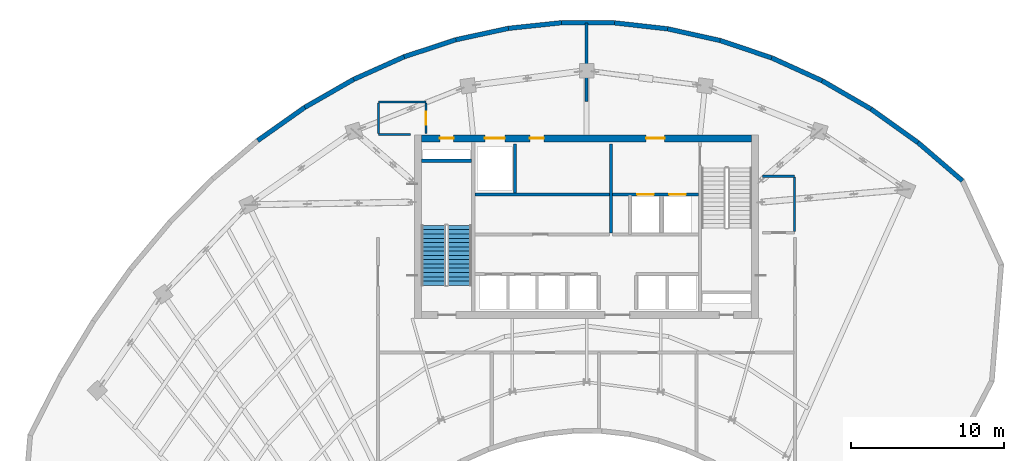
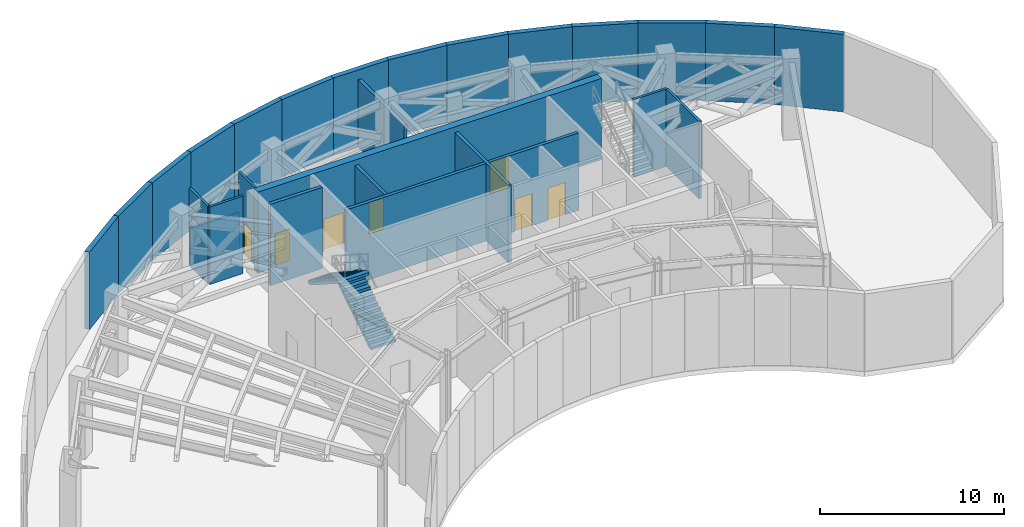
# One storey, part 8 of 10: 27 walls, 7 doors, 2 stair flights, 7 openings, 1 element without a shape of its own.
"""IFC4 building model written with IfcOpenShell, lengths in metres."""

from ifc_helpers import new_model, si_unit, direction, frame, frame_2d, origin, place, context, subcontext, project, spatial, polyline, rectangle, outline, extrude, source, transform, mapped, material, layer, layer_set, type_object, type_shapes, element, fill, aggregate, save


model = new_model("IFC4")

# Units and contexts
model_context = context("Model", 3, precision=1e-05, world=origin(), true_north=direction((0.0, 1.0)))
body_context = subcontext(model_context, "Body", "Model", "MODEL_VIEW")
ifc_project = project(units=[si_unit("LENGTHUNIT", "METRE"), si_unit("AREAUNIT", "SQUARE_METRE"), si_unit("VOLUMEUNIT", "CUBIC_METRE"), si_unit("PLANEANGLEUNIT", "RADIAN"), si_unit("MASSUNIT", "GRAM", prefix="KILO")], contexts=[model_context])

# Site, building, storey
site_placement = place(None, origin())
site = spatial("IfcSite", under=ifc_project, at=site_placement, CompositionType="ELEMENT")
building_placement = place(site_placement, origin())
building = spatial("IfcBuilding", under=site, at=building_placement, Name="Breltana Convention Tower", CompositionType="ELEMENT")
storey_placement = place(building_placement, frame((0.0, 0.0, 254.699951171875)))
storey = spatial("IfcBuildingStorey", under=building, at=storey_placement, Name="L62", CompositionType="ELEMENT", Elevation=254.699951171875)

# Wall, openings, doors
ifc_material_1 = material(Name="Concrete C60/75", Category="concrete")
ifc_layer_1 = layer(ifc_material_1, 0.449951171875, Name="Concrete C60/75")
ifc_layer_set_1 = layer_set([ifc_layer_1], Name="Concrete C60/75")
wall_type_1 = type_object("IfcWallType", Name="SW-CORE-450", PredefinedType="SHEAR", material=ifc_layer_set_1)
shared_shape_1 = source(origin(), body_context, "Body", "SweptSolid", [
    extrude(rectangle(XDim=21.60009765625, YDim=0.449951171875, at=frame_2d((10.800048828125, 0.0))), origin(), (0.0, 0.0, 1.0), 5.400146484375),
])
wall_1_placement = place(storey_placement, frame((37.199951171875, 71.97509765625, 0.0), z_axis=(0.0, 0.0, 1.0), x_axis=(1.0, 0.0, 0.0)))
wall_1 = element("IfcWall", 1, at=wall_1_placement, inside=storey, type_object=wall_type_1, Name="L62 North Core Shear Wall", PredefinedType="SHEAR", context=body_context, shape_type="MappedRepresentation", body=[
    mapped(shared_shape_1, transform((0.0, 0.0, 0.0), scale=1.0)),
])
opening_1_placement = place(wall_1_placement, frame((1.199951171875, 0.0, 0.0)))
opening_1 = element("IfcOpeningElement", 2, at=opening_1_placement, cuts=wall_1, Name="Opening D-18", PredefinedType="OPENING", context=body_context, shape_type="SweptSolid", body=[
    extrude(rectangle(XDim=0.89990234375, YDim=2.10009765625, at=frame_2d((0.449951171875, 1.050048828125))), frame((0.0, 0.23486328125, 0.0), z_axis=(0.0, -1.0, 0.0), x_axis=(1.0, 0.0, 0.0)), (0.0, 0.0, 1.0), 0.469970703125),
])
opening_2_placement = place(wall_1_placement, frame((14.699951171875, 0.0, 0.0)))
opening_2 = element("IfcOpeningElement", 3, at=opening_2_placement, cuts=wall_1, Name="Opening D-09", PredefinedType="OPENING", context=body_context, shape_type="SweptSolid", body=[
    extrude(rectangle(XDim=1.199951171875, YDim=2.14990234375, at=frame_2d((0.60009765625, 1.074951171875))), frame((0.0, 0.23486328125, 0.0), z_axis=(0.0, -1.0, 0.0), x_axis=(1.0, 0.0, 0.0)), (0.0, 0.0, 1.0), 0.469970703125),
])
opening_3_placement = place(wall_1_placement, frame((4.14990234375, 0.0, 0.0)))
opening_3 = element("IfcOpeningElement", 4, at=opening_3_placement, cuts=wall_1, Name="Opening LD-01", PredefinedType="OPENING", context=body_context, shape_type="SweptSolid", body=[
    extrude(rectangle(XDim=1.300048828125, YDim=2.14990234375, at=frame_2d((0.64990234375, 1.074951171875))), frame((0.0, 0.23486328125, 0.0), z_axis=(0.0, -1.0, 0.0), x_axis=(1.0, 0.0, 0.0)), (0.0, 0.0, 1.0), 0.469970703125),
])
opening_4_placement = place(wall_1_placement, frame((7.10009765625, 0.0, 0.0)))
opening_4 = element("IfcOpeningElement", 5, at=opening_4_placement, cuts=wall_1, Name="Opening D-18", PredefinedType="OPENING", context=body_context, shape_type="SweptSolid", body=[
    extrude(rectangle(XDim=0.89990234375, YDim=2.10009765625, at=frame_2d((0.449951171875, 1.050048828125))), frame((0.0, 0.23486328125, 0.0), z_axis=(0.0, -1.0, 0.0), x_axis=(1.0, 0.0, 0.0)), (0.0, 0.0, 1.0), 0.469970703125),
])
ifc_material_2 = material(Name="Steel Riser Fire Door", Category="steel")
door_type_1 = type_object("IfcDoorType", Name="DR-FD60-900", OperationType="NOTDEFINED", PredefinedType="DOOR", material=ifc_material_2)
shared_shape_2 = source(origin(), body_context, "Body", "SweptSolid", [
    extrude(rectangle(XDim=0.89990234375, YDim=2.10009765625, at=frame_2d((0.449951171875, 1.050048828125))), frame((0.0, 0.02490234375, 0.0), z_axis=(0.0, -1.0, 0.0), x_axis=(1.0, 0.0, 0.0)), (0.0, 0.0, 1.0), 0.050048828125),
])
type_shapes(door_type_1, [shared_shape_2])
door_1_placement = place(opening_1_placement, origin())
door_1 = element("IfcDoor", 6, at=door_1_placement, inside=storey, type_object=door_type_1, Name="L62 Core Riser Access Door D-L62-RS1", OperationType="SINGLE_SWING_LEFT", OverallHeight=2.10009765625, OverallWidth=0.89990234375, PredefinedType="DOOR", context=body_context, shape_type="MappedRepresentation", body=[
    mapped(shared_shape_2, transform((0.0, 0.0, 0.0), scale=1.0)),
])
fill(opening_1, door_1)
door_2_placement = place(opening_4_placement, origin())
door_2 = element("IfcDoor", 7, at=door_2_placement, inside=storey, type_object=door_type_1, Name="L62 interior door D-L62-CRA1", OperationType="SINGLE_SWING_RIGHT", OverallHeight=2.10009765625, OverallWidth=0.89990234375, PredefinedType="DOOR", context=body_context, shape_type="MappedRepresentation", body=[
    mapped(shared_shape_2, transform((0.0, 0.0, 0.0), scale=1.0)),
])
fill(opening_4, door_2)
ifc_material_3 = material(Name="Steel Fire Lobby Door", Category="steel")
door_type_2 = type_object("IfcDoorType", Name="DR-FD120-1200", OperationType="NOTDEFINED", PredefinedType="DOOR", material=ifc_material_3)
shared_shape_3 = source(origin(), body_context, "Body", "SweptSolid", [
    extrude(rectangle(XDim=1.199951171875, YDim=2.14990234375, at=frame_2d((0.60009765625, 1.074951171875))), frame((0.0, 0.02490234375, 0.0), z_axis=(0.0, -1.0, 0.0), x_axis=(1.0, 0.0, 0.0)), (0.0, 0.0, 1.0), 0.050048828125),
])
type_shapes(door_type_2, [shared_shape_3])
door_3_placement = place(opening_2_placement, origin())
door_3 = element("IfcDoor", 8, at=door_3_placement, inside=storey, type_object=door_type_2, Name="L62 interior door D-L62-FFL-N", OperationType="SINGLE_SWING_RIGHT", OverallHeight=2.14990234375, OverallWidth=1.199951171875, PredefinedType="DOOR", context=body_context, shape_type="MappedRepresentation", body=[
    mapped(shared_shape_3, transform((0.0, 0.0, 0.0), scale=1.0)),
])
fill(opening_2, door_3)
ifc_material_4 = material(Name="Stainless Steel Brushed", Category="steel")
door_type_3 = type_object("IfcDoorType", Name="DR-LD-SRV-1300", OperationType="DOUBLE_DOOR_SLIDING", PredefinedType="DOOR", material=ifc_material_4)
shared_shape_4 = source(origin(), body_context, "Body", "SweptSolid", [
    extrude(rectangle(XDim=1.300048828125, YDim=2.14990234375, at=frame_2d((0.64990234375, 1.074951171875))), frame((0.0, 0.02490234375, 0.0), z_axis=(0.0, -1.0, 0.0), x_axis=(1.0, 0.0, 0.0)), (0.0, 0.0, 1.0), 0.050048828125),
])
type_shapes(door_type_3, [shared_shape_4])
door_4_placement = place(opening_3_placement, origin())
door_4 = element("IfcDoor", 9, at=door_4_placement, inside=storey, type_object=door_type_3, Name="L62 Lift Landing Door D-L62-LD-SV1", OperationType="DOUBLE_DOOR_SLIDING", OverallHeight=2.14990234375, OverallWidth=1.300048828125, PredefinedType="DOOR", context=body_context, shape_type="MappedRepresentation", body=[
    mapped(shared_shape_4, transform((0.0, 0.0, 0.0), scale=1.0)),
])
fill(opening_3, door_4)

# Walls
ifc_material_5 = material(Name="Concrete C50/60", Category="concrete")
ifc_layer_2 = layer(ifc_material_5, 0.39990234375, Name="Concrete C50/60")
ifc_layer_set_2 = layer_set([ifc_layer_2], Name="Concrete C50/60")
wall_type_2 = type_object("IfcWallType", Name="SW-CORE-400", PredefinedType="SHEAR", material=ifc_layer_set_2)
shared_shape_5 = source(origin(), body_context, "Body", "SweptSolid", [
    extrude(rectangle(XDim=3.27001953125, YDim=0.219970703125, at=frame_2d((1.635009765625, 0.0))), origin(), (0.0, 0.0, 1.0), 5.400146484375),
])
wall_2_placement = place(storey_placement, frame((37.199951171875, 70.510009765625, 0.0), z_axis=(0.0, 0.0, 1.0), x_axis=(1.0, 0.0, 0.0)))
element("IfcWall", 10, at=wall_2_placement, inside=storey, type_object=wall_type_2, Name="L62 ST-1 Stairwell North Bearing Wall", PredefinedType="SHEAR", context=body_context, shape_type="MappedRepresentation", body=[
    mapped(shared_shape_5, transform((0.0, 0.0, 0.0), scale=1.0)),
])
ifc_material_6 = material(Name="Limestone Buff Insulated Wall", Category="masonry")
ifc_layer_3 = layer(ifc_material_6, 0.300048828125, Name="Limestone Buff Insulated Wall")
ifc_layer_set_3 = layer_set([ifc_layer_3], Name="Limestone Buff Insulated Wall")
wall_type_3 = type_object("IfcWallType", Name="WL-EXT-CRN-300", PredefinedType="SOLIDWALL", material=ifc_layer_set_3)
shared_shape_6 = source(origin(), body_context, "Body", "SweptSolid", [
    extrude(rectangle(XDim=3.770263671875, YDim=0.300048828125, at=frame_2d((1.88525390625, 0.0))), origin(), (0.0, 0.0, 1.0), 5.150146484375),
])
wall_3_placement = place(storey_placement, frame((26.495361328125, 71.823486328125, 0.0), z_axis=(0.0, 0.0, 1.0), x_axis=(0.817001958662, 0.576634892755, 0.0)))
element("IfcWall", 11, at=wall_3_placement, inside=storey, type_object=wall_type_3, Name="L62 mechanical limestone enclosure wall 56", PredefinedType="SOLIDWALL", context=body_context, shape_type="MappedRepresentation", body=[
    mapped(shared_shape_6, transform((0.0, 0.0, 0.0), scale=1.0)),
])
shared_shape_7 = source(origin(), body_context, "Body", "SweptSolid", [
    extrude(rectangle(XDim=3.68798828125, YDim=0.300048828125, at=frame_2d((1.843994140625, 0.0))), origin(), (0.0, 0.0, 1.0), 5.150146484375),
])
wall_4_placement = place(storey_placement, frame((29.57568359375, 73.99755859375, 0.0), z_axis=(0.0, 0.0, 1.0), x_axis=(0.867929289274, 0.496687778005, 0.0)))
element("IfcWall", 12, at=wall_4_placement, inside=storey, type_object=wall_type_3, Name="L62 mechanical limestone enclosure wall 57", PredefinedType="SOLIDWALL", context=body_context, shape_type="MappedRepresentation", body=[
    mapped(shared_shape_7, transform((0.0, 0.0, 0.0), scale=1.0)),
])
shared_shape_8 = source(origin(), body_context, "Body", "SweptSolid", [
    extrude(rectangle(XDim=3.61572265625, YDim=0.300048828125, at=frame_2d((1.807861328125, 0.0))), origin(), (0.0, 0.0, 1.0), 5.150146484375),
])
wall_5_placement = place(storey_placement, frame((32.776611328125, 75.829345703125, 0.0), z_axis=(0.0, 0.0, 1.0), x_axis=(0.912719530576, 0.408586659726, 0.0)))
element("IfcWall", 13, at=wall_5_placement, inside=storey, type_object=wall_type_3, Name="L62 mechanical limestone enclosure wall 58", PredefinedType="SOLIDWALL", context=body_context, shape_type="MappedRepresentation", body=[
    mapped(shared_shape_8, transform((0.0, 0.0, 0.0), scale=1.0)),
])
shared_shape_9 = source(origin(), body_context, "Body", "SweptSolid", [
    extrude(rectangle(XDim=3.556884765625, YDim=0.300048828125, at=frame_2d((1.7783203125, 0.0))), origin(), (0.0, 0.0, 1.0), 5.150146484375),
])
wall_6_placement = place(storey_placement, frame((36.07666015625, 77.306640625, 0.0), z_axis=(0.0, 0.0, 1.0), x_axis=(0.949687460385, 0.31319918197, 0.0)))
element("IfcWall", 14, at=wall_6_placement, inside=storey, type_object=wall_type_3, Name="L62 mechanical limestone enclosure wall 59", PredefinedType="SOLIDWALL", context=body_context, shape_type="MappedRepresentation", body=[
    mapped(shared_shape_9, transform((0.0, 0.0, 0.0), scale=1.0)),
])
shared_shape_10 = source(origin(), body_context, "Body", "SweptSolid", [
    extrude(rectangle(XDim=3.512939453125, YDim=0.300048828125, at=frame_2d((1.75634765625, 0.0))), origin(), (0.0, 0.0, 1.0), 5.150146484375),
])
wall_7_placement = place(storey_placement, frame((39.45458984375, 78.420654296875, 0.0), z_axis=(0.0, 0.0, 1.0), x_axis=(0.977366029072, 0.211555300611, 0.0)))
element("IfcWall", 15, at=wall_7_placement, inside=storey, type_object=wall_type_3, Name="L62 mechanical limestone enclosure wall 60", PredefinedType="SOLIDWALL", context=body_context, shape_type="MappedRepresentation", body=[
    mapped(shared_shape_10, transform((0.0, 0.0, 0.0), scale=1.0)),
])
shared_shape_11 = source(origin(), body_context, "Body", "SweptSolid", [
    extrude(rectangle(XDim=3.486328125, YDim=0.300048828125, at=frame_2d((1.7431640625, 0.0))), origin(), (0.0, 0.0, 1.0), 5.150146484375),
])
wall_8_placement = place(storey_placement, frame((42.887939453125, 79.163818359375, 0.0), z_axis=(0.0, 0.0, 1.0), x_axis=(0.994423029828, 0.105464864994, 0.0)))
element("IfcWall", 16, at=wall_8_placement, inside=storey, type_object=wall_type_3, Name="L62 mechanical limestone enclosure wall 61", PredefinedType="SOLIDWALL", context=body_context, shape_type="MappedRepresentation", body=[
    mapped(shared_shape_11, transform((0.0, 0.0, 0.0), scale=1.0)),
])
shared_shape_12 = source(origin(), body_context, "Body", "SweptSolid", [
    extrude(rectangle(XDim=3.477294921875, YDim=0.300048828125, at=frame_2d((1.73876953125, 0.0))), origin(), (0.0, 0.0, 1.0), 5.150146484375),
])
wall_9_placement = place(storey_placement, frame((46.354736328125, 79.531494140625, 0.0), z_axis=(0.0, 0.0, 1.0), x_axis=(0.999995652268, -0.002948804142, 0.0)))
element("IfcWall", 17, at=wall_9_placement, inside=storey, type_object=wall_type_3, Name="L62 mechanical limestone enclosure wall 62", PredefinedType="SOLIDWALL", context=body_context, shape_type="MappedRepresentation", body=[
    mapped(shared_shape_12, transform((0.0, 0.0, 0.0), scale=1.0)),
])
shared_shape_13 = source(origin(), body_context, "Body", "SweptSolid", [
    extrude(rectangle(XDim=3.4873046875, YDim=0.300048828125, at=frame_2d((1.74365234375, 0.0))), origin(), (0.0, 0.0, 1.0), 5.150146484375),
])
wall_10_placement = place(storey_placement, frame((49.83203125, 79.521240234375, 0.0), z_axis=(0.0, 0.0, 1.0), x_axis=(0.993792900103, -0.111245996355, 0.0)))
element("IfcWall", 18, at=wall_10_placement, inside=storey, type_object=wall_type_3, Name="L62 mechanical limestone enclosure wall 63", PredefinedType="SOLIDWALL", context=body_context, shape_type="MappedRepresentation", body=[
    mapped(shared_shape_13, transform((0.0, 0.0, 0.0), scale=1.0)),
])
shared_shape_14 = source(origin(), body_context, "Body", "SweptSolid", [
    extrude(rectangle(XDim=3.514892578125, YDim=0.300048828125, at=frame_2d((1.75732421875, 0.0))), origin(), (0.0, 0.0, 1.0), 5.150146484375),
])
wall_11_placement = place(storey_placement, frame((53.297607421875, 79.13330078125, 0.0), z_axis=(0.0, 0.0, 1.0), x_axis=(0.976144550296, -0.217121663884, 0.0)))
element("IfcWall", 19, at=wall_11_placement, inside=storey, type_object=wall_type_3, Name="L62 mechanical limestone enclosure wall 64", PredefinedType="SOLIDWALL", context=body_context, shape_type="MappedRepresentation", body=[
    mapped(shared_shape_14, transform((0.0, 0.0, 0.0), scale=1.0)),
])
shared_shape_15 = source(origin(), body_context, "Body", "SweptSolid", [
    extrude(rectangle(XDim=3.559326171875, YDim=0.300048828125, at=frame_2d((1.77978515625, 0.0))), origin(), (0.0, 0.0, 1.0), 5.150146484375),
])
wall_12_placement = place(storey_placement, frame((56.728759765625, 78.3701171875, 0.0), z_axis=(0.0, 0.0, 1.0), x_axis=(0.947933000453, -0.31846982063, 0.0)))
element("IfcWall", 20, at=wall_12_placement, inside=storey, type_object=wall_type_3, Name="L62 mechanical limestone enclosure wall 65", PredefinedType="SOLIDWALL", context=body_context, shape_type="MappedRepresentation", body=[
    mapped(shared_shape_15, transform((0.0, 0.0, 0.0), scale=1.0)),
])
shared_shape_16 = source(origin(), body_context, "Body", "SweptSolid", [
    extrude(rectangle(XDim=3.619384765625, YDim=0.300048828125, at=frame_2d((1.8095703125, 0.0))), origin(), (0.0, 0.0, 1.0), 5.150146484375),
])
wall_13_placement = place(storey_placement, frame((60.102783203125, 77.236572265625, 0.0), z_axis=(0.0, 0.0, 1.0), x_axis=(0.910479634963, -0.413553907391, 0.0)))
element("IfcWall", 21, at=wall_13_placement, inside=storey, type_object=wall_type_3, Name="L62 mechanical limestone enclosure wall 66", PredefinedType="SOLIDWALL", context=body_context, shape_type="MappedRepresentation", body=[
    mapped(shared_shape_16, transform((0.0, 0.0, 0.0), scale=1.0)),
])
shared_shape_17 = source(origin(), body_context, "Body", "SweptSolid", [
    extrude(rectangle(XDim=3.69189453125, YDim=0.300048828125, at=frame_2d((1.845947265625, 0.0))), origin(), (0.0, 0.0, 1.0), 5.150146484375),
])
wall_14_placement = place(storey_placement, frame((63.398193359375, 75.73974609375, 0.0), z_axis=(0.0, 0.0, 1.0), x_axis=(0.86534327136, -0.501179631181, 0.0)))
element("IfcWall", 22, at=wall_14_placement, inside=storey, type_object=wall_type_3, Name="L62 mechanical limestone enclosure wall 67", PredefinedType="SOLIDWALL", context=body_context, shape_type="MappedRepresentation", body=[
    mapped(shared_shape_17, transform((0.0, 0.0, 0.0), scale=1.0)),
])
shared_shape_18 = source(origin(), body_context, "Body", "SweptSolid", [
    extrude(rectangle(XDim=3.775146484375, YDim=0.300048828125, at=frame_2d((1.8876953125, 0.0))), origin(), (0.0, 0.0, 1.0), 5.150146484375),
])
wall_15_placement = place(storey_placement, frame((66.593017578125, 73.889404296875, 0.0), z_axis=(0.0, 0.0, 1.0), x_axis=(0.814135281578, -0.580675247699, 0.0)))
element("IfcWall", 23, at=wall_15_placement, inside=storey, type_object=wall_type_3, Name="L62 mechanical limestone enclosure wall 68", PredefinedType="SOLIDWALL", context=body_context, shape_type="MappedRepresentation", body=[
    mapped(shared_shape_18, transform((0.0, 0.0, 0.0), scale=1.0)),
])
shared_shape_19 = source(origin(), body_context, "Body", "SweptSolid", [
    extrude(rectangle(XDim=3.833984375, YDim=0.300048828125, at=frame_2d((1.9169921875, 0.0))), origin(), (0.0, 0.0, 1.0), 5.150146484375),
])
wall_16_placement = place(storey_placement, frame((69.66650390625, 71.697265625, 0.0), z_axis=(0.0, 0.0, 1.0), x_axis=(0.75839292431, -0.651797646787, 0.0)))
element("IfcWall", 24, at=wall_16_placement, inside=storey, type_object=wall_type_3, Name="L62 mechanical limestone enclosure wall 69", PredefinedType="SOLIDWALL", context=body_context, shape_type="MappedRepresentation", body=[
    mapped(shared_shape_19, transform((0.0, 0.0, 0.0), scale=1.0)),
])
ifc_material_7 = material(Name="Gypsum Acoustic Drywall Partition")
ifc_layer_4 = layer(ifc_material_7, 0.14990234375, Name="Gypsum Acoustic Drywall Partition")
ifc_layer_set_4 = layer_set([ifc_layer_4], Name="Gypsum Acoustic Drywall Partition")
wall_type_4 = type_object("IfcWallType", Name="WL-PART-150", PredefinedType="PARTITIONING", material=ifc_layer_set_4)
shared_shape_20 = source(origin(), body_context, "Body", "SweptSolid", [
    extrude(rectangle(XDim=3.10009765625, YDim=0.14990234375, at=frame_2d((1.550048828125, 0.0))), origin(), (0.0, 0.0, 1.0), 2.424560546875),
])
wall_17_placement = place(storey_placement, frame((34.39990234375, 74.35009765625, 0.0), z_axis=(0.0, 0.0, 1.0), x_axis=(1.0, 0.0, 0.0)))
element("IfcWall", 25, at=wall_17_placement, inside=storey, type_object=wall_type_4, Name="L62 interior partition W-L62-CRNE-N", PredefinedType="PARTITIONING", context=body_context, shape_type="MappedRepresentation", body=[
    mapped(shared_shape_20, transform((0.0, 0.0, 0.0), scale=1.0)),
])

# Wall, openings, doors
ifc_material_8 = material(Name="Autoclaved Aerated Concrete Block", Category="concrete")
ifc_layer_5 = layer(ifc_material_8, 0.199951171875, Name="Autoclaved Aerated Concrete Block")
ifc_layer_set_5 = layer_set([ifc_layer_5], Name="Autoclaved Aerated Concrete Block")
wall_type_5 = type_object("IfcWallType", Name="WL-SHAFT-200", PredefinedType="SOLIDWALL", material=ifc_layer_set_5)
shared_shape_21 = source(origin(), body_context, "Body", "SweptSolid", [
    extrude(rectangle(XDim=5.6201171875, YDim=0.199951171875, at=frame_2d((2.81005859375, 0.0))), origin(), (0.0, 0.0, 1.0), 5.150146484375),
])
wall_18_placement = place(storey_placement, frame((49.699951171875, 68.300048828125, 0.0), z_axis=(0.0, 0.0, 1.0), x_axis=(1.0, 0.0, 0.0)))
wall_18 = element("IfcWall", 26, at=wall_18_placement, inside=storey, type_object=wall_type_5, Name="L62 interior partition W-L62-FFL-S", PredefinedType="SOLIDWALL", context=body_context, shape_type="MappedRepresentation", body=[
    mapped(shared_shape_21, transform((0.0, 0.0, 0.0), scale=1.0)),
])
opening_5_placement = place(wall_18_placement, frame((1.60009765625, 0.0, 0.0)))
opening_5 = element("IfcOpeningElement", 27, at=opening_5_placement, cuts=wall_18, Name="Opening LD-03", PredefinedType="OPENING", context=body_context, shape_type="SweptSolid", body=[
    extrude(rectangle(XDim=1.10009765625, YDim=2.14990234375, at=frame_2d((0.550048828125, 1.074951171875))), frame((0.0, 0.10986328125, 0.0), z_axis=(0.0, -1.0, 0.0), x_axis=(1.0, 0.0, 0.0)), (0.0, 0.0, 1.0), 0.219970703125),
])
opening_6_placement = place(wall_18_placement, frame((3.699951171875, 0.0, 0.0)))
opening_6 = element("IfcOpeningElement", 28, at=opening_6_placement, cuts=wall_18, Name="Opening LD-03", PredefinedType="OPENING", context=body_context, shape_type="SweptSolid", body=[
    extrude(rectangle(XDim=1.10009765625, YDim=2.14990234375, at=frame_2d((0.550048828125, 1.074951171875))), frame((0.0, 0.10986328125, 0.0), z_axis=(0.0, -1.0, 0.0), x_axis=(1.0, 0.0, 0.0)), (0.0, 0.0, 1.0), 0.219970703125),
])
door_type_4 = type_object("IfcDoorType", Name="DR-LD-FF-1100", OperationType="DOUBLE_DOOR_SLIDING", PredefinedType="DOOR", material=ifc_material_4)
shared_shape_22 = source(origin(), body_context, "Body", "SweptSolid", [
    extrude(rectangle(XDim=1.10009765625, YDim=2.14990234375, at=frame_2d((0.550048828125, 1.074951171875))), frame((0.0, 0.02490234375, 0.0), z_axis=(0.0, -1.0, 0.0), x_axis=(1.0, 0.0, 0.0)), (0.0, 0.0, 1.0), 0.050048828125),
])
type_shapes(door_type_4, [shared_shape_22])
door_5_placement = place(opening_5_placement, origin())
door_5 = element("IfcDoor", 29, at=door_5_placement, inside=storey, type_object=door_type_4, Name="L62 Lift Landing Door D-L62-LD-FL1", OperationType="DOUBLE_DOOR_SLIDING", OverallHeight=2.14990234375, OverallWidth=1.10009765625, PredefinedType="DOOR", context=body_context, shape_type="MappedRepresentation", body=[
    mapped(shared_shape_22, transform((0.0, 0.0, 0.0), scale=1.0)),
])
fill(opening_5, door_5)
door_6_placement = place(opening_6_placement, origin())
door_6 = element("IfcDoor", 30, at=door_6_placement, inside=storey, type_object=door_type_4, Name="L62 Lift Landing Door D-L62-LD-FL2", OperationType="DOUBLE_DOOR_SLIDING", OverallHeight=2.14990234375, OverallWidth=1.10009765625, PredefinedType="DOOR", context=body_context, shape_type="MappedRepresentation", body=[
    mapped(shared_shape_22, transform((0.0, 0.0, 0.0), scale=1.0)),
])
fill(opening_6, door_6)

# Walls
shared_shape_23 = source(origin(), body_context, "Body", "SweptSolid", [
    extrude(rectangle(XDim=5.800048828125, YDim=0.199951171875, at=frame_2d((2.89990234375, 0.0))), origin(), (0.0, 0.0, 1.0), 5.150146484375),
])
wall_19_placement = place(storey_placement, frame((49.60009765625, 65.800048828125, 0.0), z_axis=(0.0, 0.0, 1.0), x_axis=(0.0, 1.0, 0.0)))
element("IfcWall", 31, at=wall_19_placement, inside=storey, type_object=wall_type_5, Name="L62 interior partition W-L62-FFL-W", PredefinedType="SOLIDWALL", context=body_context, shape_type="MappedRepresentation", body=[
    mapped(shared_shape_23, transform((0.0, 0.0, 0.0), scale=1.0)),
])
shared_shape_24 = source(origin(), body_context, "Body", "SweptSolid", [
    extrude(rectangle(XDim=3.2001953125, YDim=0.199951171875, at=frame_2d((1.60009765625, 0.0))), origin(), (0.0, 0.0, 1.0), 5.150146484375),
])
wall_20_placement = place(storey_placement, frame((43.320068359375, 68.39990234375, 0.0), z_axis=(0.0, 0.0, 1.0), x_axis=(0.0, 1.0, 0.0)))
element("IfcWall", 32, at=wall_20_placement, inside=storey, type_object=wall_type_5, Name="L62 interior partition W-L62-SV-E", PredefinedType="SOLIDWALL", context=body_context, shape_type="MappedRepresentation", body=[
    mapped(shared_shape_24, transform((0.0, 0.0, 0.0), scale=1.0)),
])
shared_shape_25 = source(origin(), body_context, "Body", "SweptSolid", [
    extrude(rectangle(XDim=8.800048828125, YDim=0.199951171875, at=frame_2d((4.39990234375, 0.0))), origin(), (0.0, 0.0, 1.0), 5.150146484375),
])
wall_21_placement = place(storey_placement, frame((40.699951171875, 68.300048828125, 0.0), z_axis=(0.0, 0.0, 1.0), x_axis=(1.0, 0.0, 0.0)))
element("IfcWall", 33, at=wall_21_placement, inside=storey, type_object=wall_type_5, Name="L62 interior partition W-L62-SV-S", PredefinedType="SOLIDWALL", context=body_context, shape_type="MappedRepresentation", body=[
    mapped(shared_shape_25, transform((0.0, 0.0, 0.0), scale=1.0)),
])
shared_shape_26 = source(origin(), body_context, "Body", "SweptSolid", [
    extrude(rectangle(XDim=2.10009765625, YDim=0.14990234375, at=frame_2d((1.050048828125, 0.0))), origin(), (0.0, 0.0, 1.0), 5.150146484375),
])
for number, where, z_axis, x_axis, name in (
    (34, (34.39990234375, 72.219970703125, 0.0), (0.0, 0.0, 1.0), (1.0, 0.0, 0.0), "L62 interior partition W-L62-CRNE-S"),
    (35, (59.5, 69.5, 0.0), (0.0, 0.0, 1.0), (1.0, 0.0, 0.0), "L62 interior partition W-L62-CRSE-N"),
):
    element("IfcWall", number, at=place(storey_placement, frame(where, z_axis=z_axis, x_axis=x_axis)), inside=storey, type_object=wall_type_4, Name=name, PredefinedType="PARTITIONING", context=body_context, shape_type="MappedRepresentation", body=[
        mapped(shared_shape_26, transform((0.0, 0.0, 0.0), scale=1.0)),
    ])
shared_shape_27 = source(origin(), body_context, "Body", "SweptSolid", [
    extrude(rectangle(XDim=1.994873046875, YDim=0.14990234375, at=frame_2d((0.99755859375, 0.0))), origin(), (0.0, 0.0, 1.0), 5.150146484375),
])
wall_22_placement = place(storey_placement, frame((34.39990234375, 72.28759765625, 0.0), z_axis=(0.0, 0.0, 1.0), x_axis=(0.0, 1.0, 0.0)))
element("IfcWall", 36, at=wall_22_placement, inside=storey, type_object=wall_type_4, Name="L62 interior partition W-L62-CRNE-W", PredefinedType="PARTITIONING", context=body_context, shape_type="MappedRepresentation", body=[
    mapped(shared_shape_27, transform((0.0, 0.0, 0.0), scale=1.0)),
])

# Wall, opening, door
shared_shape_28 = source(origin(), body_context, "Body", "SweptSolid", [
    extrude(rectangle(XDim=1.982421875, YDim=0.14990234375, at=frame_2d((0.9912109375, 0.0))), origin(), (0.0, 0.0, 1.0), 5.150146484375),
])
wall_23_placement = place(storey_placement, frame((37.5, 72.300048828125, 0.0), z_axis=(0.0, 0.0, 1.0), x_axis=(0.0, 1.0, 0.0)))
wall_23 = element("IfcWall", 37, at=wall_23_placement, inside=storey, type_object=wall_type_4, Name="L62 interior partition W-L62-CRNE-E", PredefinedType="PARTITIONING", context=body_context, shape_type="MappedRepresentation", body=[
    mapped(shared_shape_28, transform((0.0, 0.0, 0.0), scale=1.0)),
])
opening_7_placement = place(wall_23_placement, frame((0.56640625, 0.0, 0.0)))
opening_7 = element("IfcOpeningElement", 38, at=opening_7_placement, cuts=wall_23, Name="Opening D-20", PredefinedType="OPENING", context=body_context, shape_type="SweptSolid", body=[
    extrude(rectangle(XDim=0.85009765625, YDim=2.10009765625, at=frame_2d((0.425048828125, 1.050048828125))), frame((0.0, 0.0849609375, 0.0), z_axis=(0.0, -1.0, 0.0), x_axis=(1.0, 0.0, 0.0)), (0.0, 0.0, 1.0), 0.169921875),
])
ifc_material_9 = material(Name="Steel Closet Fire Door", Category="steel")
door_type_5 = type_object("IfcDoorType", Name="DR-FD60-850", OperationType="NOTDEFINED", PredefinedType="DOOR", material=ifc_material_9)
shared_shape_29 = source(origin(), body_context, "Body", "SweptSolid", [
    extrude(rectangle(XDim=0.85009765625, YDim=2.10009765625, at=frame_2d((0.425048828125, 1.050048828125))), frame((0.0, 0.02490234375, 0.0), z_axis=(0.0, -1.0, 0.0), x_axis=(1.0, 0.0, 0.0)), (0.0, 0.0, 1.0), 0.050048828125),
])
type_shapes(door_type_5, [shared_shape_29])
door_7_placement = place(opening_7_placement, origin())
door_7 = element("IfcDoor", 39, at=door_7_placement, inside=storey, type_object=door_type_5, Name="L62 interior door D-L62-CRNE", OperationType="SINGLE_SWING_RIGHT", OverallHeight=2.10009765625, OverallWidth=0.85009765625, PredefinedType="DOOR", context=body_context, shape_type="MappedRepresentation", body=[
    mapped(shared_shape_29, transform((0.0, 0.0, 0.0), scale=1.0)),
])
fill(opening_7, door_7)

# Walls
shared_shape_30 = source(origin(), body_context, "Body", "SweptSolid", [
    extrude(rectangle(XDim=3.565185546875, YDim=0.14990234375, at=frame_2d((1.78271484375, 0.0))), origin(), (0.0, 0.0, 1.0), 5.150146484375),
])
wall_24_placement = place(storey_placement, frame((61.60009765625, 65.867431640625, 0.0), z_axis=(0.0, 0.0, 1.0), x_axis=(0.0, 1.0, 0.0)))
element("IfcWall", 40, at=wall_24_placement, inside=storey, type_object=wall_type_4, Name="L62 interior partition W-L62-CRSE-E", PredefinedType="PARTITIONING", context=body_context, shape_type="MappedRepresentation", body=[
    mapped(shared_shape_30, transform((0.0, 0.0, 0.0), scale=1.0)),
])
shared_shape_31 = source(origin(), body_context, "Body", "SweptSolid", [
    extrude(rectangle(XDim=5.13671875, YDim=0.199951171875, at=frame_2d((2.568359375, 0.0))), origin(), (0.0, 0.0, 1.0), 4.508056640625),
])
wall_25_placement = place(storey_placement, frame((48.0, 74.3798828125, 0.0), z_axis=(0.0, 0.0, 1.0), x_axis=(0.0, 1.0, 0.0)))
element("IfcWall", 41, at=wall_25_placement, inside=storey, type_object=wall_type_5, Name="L62 interior partition W-L62-REFC-N", PredefinedType="SOLIDWALL", context=body_context, shape_type="MappedRepresentation", body=[
    mapped(shared_shape_31, transform((0.0, 0.0, 0.0), scale=1.0)),
])

# Stair, stair flights
ifc_material_10 = material(Name="Concrete C40/50", Category="concrete")
stair_type = type_object("IfcStairType", Name="ST-DOG-1560-R180", PredefinedType="HALF_TURN_STAIR", material=ifc_material_10)
stair_placement = place(storey_placement, origin())
stair = element("IfcStair", 42, at=stair_placement, inside=storey, type_object=stair_type, Name="L62 Protected Core Exit Stair ST-1", PredefinedType="HALF_TURN_STAIR")
stair_flight_type = type_object("IfcStairFlightType", Name="STF-DOG-1560-N15-R180", PredefinedType="STRAIGHT", material=ifc_material_10)
stair_flight_1_placement = place(storey_placement, frame((39.68994140625, 62.360107421875, 0.0), z_axis=(0.0, 0.0, 1.0), x_axis=(0.0, 1.0, 0.0)))
stair_flight_1 = element("IfcStairFlight", 43, at=stair_flight_1_placement, type_object=stair_flight_type, Name="ST-1 flight 1", NumberOfRisers=15, NumberOfTreads=14, PredefinedType="STRAIGHT", RiserHeight=0.18, TreadLength=0.28, context=body_context, shape_type="SweptSolid", body=[
    extrude(outline(polyline([(0.0, 0.0), (0.0, 0.179931640625), (0.280029296875, 0.179931640625), (0.280029296875, 0.360107421875), (0.56005859375, 0.360107421875), (0.56005859375, 0.5400390625), (0.840087890625, 0.5400390625), (0.840087890625, 0.719970703125), (1.1201171875, 0.719970703125), (1.1201171875, 0.89990234375), (1.39990234375, 0.89990234375), (1.39990234375, 1.080078125), (1.679931640625, 1.080078125), (1.679931640625, 1.260009765625), (1.9599609375, 1.260009765625), (1.9599609375, 1.43994140625), (2.239990234375, 1.43994140625), (2.239990234375, 1.6201171875), (2.52001953125, 1.6201171875), (2.52001953125, 1.800048828125), (2.800048828125, 1.800048828125), (2.800048828125, 1.97998046875), (3.080078125, 1.97998046875), (3.080078125, 2.159912109375), (3.360107421875, 2.159912109375), (3.360107421875, 2.340087890625), (3.639892578125, 2.340087890625), (3.639892578125, 2.52001953125), (3.919921875, 2.52001953125), (3.919921875, 2.699951171875), (3.919921875, 2.341796875), (0.277099609375, 0.0), (0.0, 0.0)])), frame((0.0, 0.780029296875, 0.0), z_axis=(0.0, -1.0, 0.0), x_axis=(1.0, 0.0, 0.0)), (0.0, 0.0, 1.0), 1.56005859375),
])
stair_flight_2_placement = place(storey_placement, frame((37.97998046875, 66.280029296875, 2.699951171875), z_axis=(0.0, 0.0, 1.0), x_axis=(0.0, -1.0, 0.0)))
stair_flight_2 = element("IfcStairFlight", 44, at=stair_flight_2_placement, type_object=stair_flight_type, Name="ST-1 flight 2", NumberOfRisers=15, NumberOfTreads=14, PredefinedType="STRAIGHT", RiserHeight=0.18, TreadLength=0.28, context=body_context, shape_type="SweptSolid", body=[
    extrude(outline(polyline([(0.0, 0.0), (0.0, 0.179931640625), (0.280029296875, 0.179931640625), (0.280029296875, 0.360107421875), (0.56005859375, 0.360107421875), (0.56005859375, 0.5400390625), (0.840087890625, 0.5400390625), (0.840087890625, 0.719970703125), (1.1201171875, 0.719970703125), (1.1201171875, 0.89990234375), (1.39990234375, 0.89990234375), (1.39990234375, 1.080078125), (1.679931640625, 1.080078125), (1.679931640625, 1.260009765625), (1.9599609375, 1.260009765625), (1.9599609375, 1.43994140625), (2.239990234375, 1.43994140625), (2.239990234375, 1.6201171875), (2.52001953125, 1.6201171875), (2.52001953125, 1.800048828125), (2.800048828125, 1.800048828125), (2.800048828125, 1.97998046875), (3.080078125, 1.97998046875), (3.080078125, 2.159912109375), (3.360107421875, 2.159912109375), (3.360107421875, 2.340087890625), (3.639892578125, 2.340087890625), (3.639892578125, 2.52001953125), (3.919921875, 2.52001953125), (3.919921875, 2.699951171875), (3.919921875, 2.341796875), (0.277099609375, 0.0), (0.0, 0.0)])), frame((0.0, 0.780029296875, 0.0), z_axis=(0.0, -1.0, 0.0), x_axis=(1.0, 0.0, 0.0)), (0.0, 0.0, 1.0), 1.56005859375),
])
aggregate(stair, [stair_flight_1, stair_flight_2])

save(model, "model.ifc")
